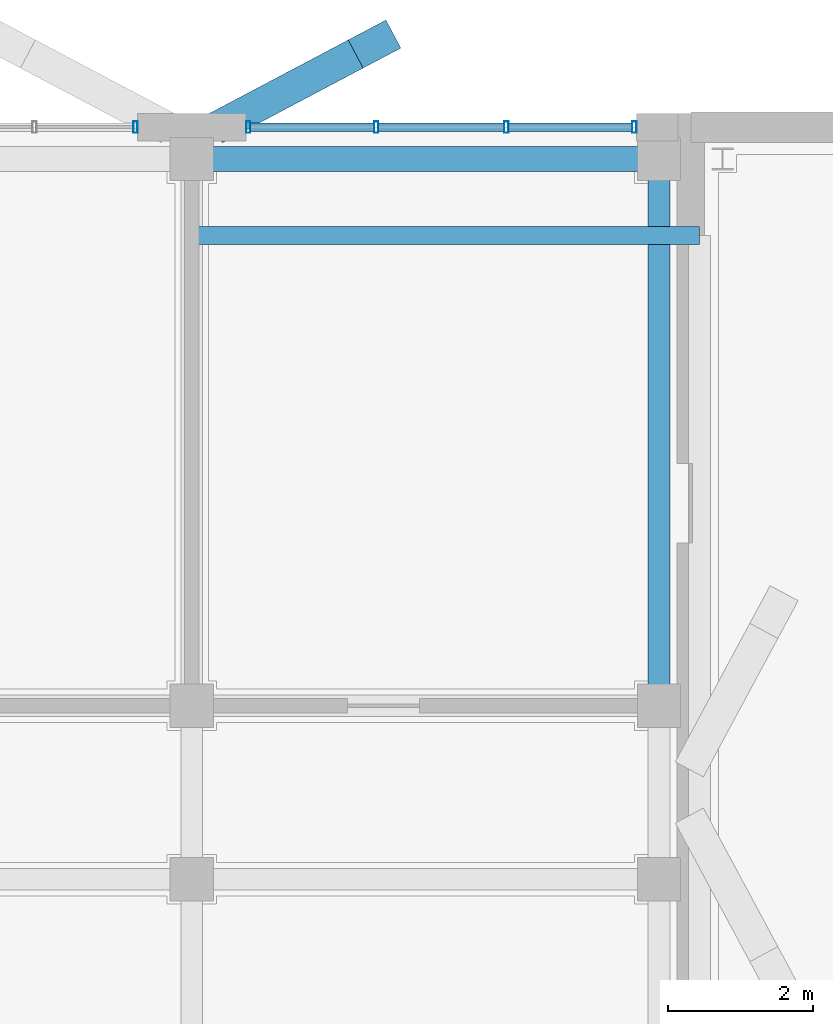
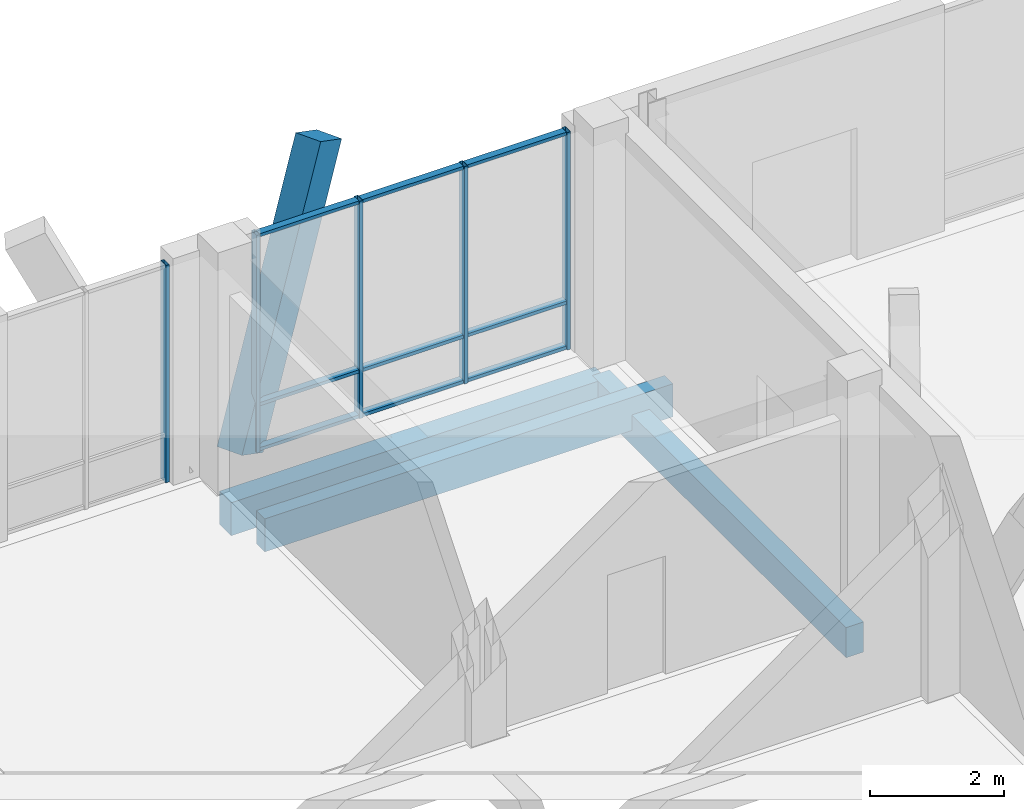
# One storey, part 119 of 233: 15 members, 3 beams, 2 elements without a shape of their own.
"""IFC4 building model written with IfcOpenShell, lengths in metres."""

from ifc_helpers import new_model, si_unit, direction, frame, origin, origin_2d, place, context, subcontext, project, spatial, rectangle, hollow_rectangle, extrude, material, material_profile, profile_set, type_object, element, aggregate, save


model = new_model("IFC4")

# Units and contexts
model_context = context("Model", 3, precision=1e-05, world=origin(), true_north=direction((0.0, 1.0)))
body_context = subcontext(model_context, "Body", "Model", "MODEL_VIEW")
ifc_project = project(units=[si_unit("LENGTHUNIT", "METRE"), si_unit("AREAUNIT", "SQUARE_METRE"), si_unit("VOLUMEUNIT", "CUBIC_METRE"), si_unit("PLANEANGLEUNIT", "RADIAN"), si_unit("MASSUNIT", "GRAM", prefix="KILO")], contexts=[model_context])

# Site, building, storey
site_placement = place(None, origin())
site = spatial("IfcSite", under=ifc_project, at=site_placement, CompositionType="ELEMENT")
building_placement = place(site_placement, origin())
building = spatial("IfcBuilding", under=site, at=building_placement, Name="Zavelmont Quarter", CompositionType="ELEMENT")
storey_placement = place(building_placement, origin())
storey = spatial("IfcBuildingStorey", under=building, at=storey_placement, Name="L00", CompositionType="ELEMENT", Elevation=0.0)

# Beams
ifc_material_1 = material(Name="Concrete C35/45", Category="concrete")
ifc_material_profile_1 = material_profile(ifc_material_1, rectangle(XDim=0.35009765625, YDim=0.60009765625, at=origin_2d()), Name="RC350X600")
ifc_profile_set_1 = profile_set([ifc_material_profile_1], Name="Concrete C35/45")
beam_type_1 = type_object("IfcBeamType", Name="BM01", PredefinedType="SPANDREL", material=ifc_profile_set_1)
beam_1_placement = place(storey_placement, frame((48.300048828125, 115.56005859375, -0.6201171875), z_axis=(1.0, 0.0, 0.0), x_axis=(0.0, 1.0, 0.0)))
element("IfcBeam", 1, at=beam_1_placement, inside=storey, type_object=beam_type_1, Name="L00 beam BM01 8/S to 9/S", PredefinedType="SPANDREL", context=body_context, shape_type="SweptSolid", body=[
    extrude(rectangle(XDim=0.35009765625, YDim=0.60009765625, at=origin_2d()), origin(), (0.0, 0.0, 1.0), 6.4599609375),
])
ifc_material_profile_2 = material_profile(ifc_material_1, rectangle(XDim=0.300048828125, YDim=0.550048828125, at=origin_2d()), Name="RC300X550")
ifc_profile_set_2 = profile_set([ifc_material_profile_2], Name="Concrete C35/45")
beam_type_2 = type_object("IfcBeamType", Name="BM02", PredefinedType="SPANDREL", material=ifc_profile_set_2)
beam_2_placement = place(storey_placement, frame((54.760009765625, 108.0, -0.594970703125), z_axis=(0.0, 1.0, 0.0), x_axis=(-1.0, 0.0, 0.0)))
element("IfcBeam", 2, at=beam_2_placement, inside=storey, type_object=beam_type_2, Name="L00 beam BM02 9/R to 9/S", PredefinedType="SPANDREL", context=body_context, shape_type="SweptSolid", body=[
    extrude(rectangle(XDim=0.300048828125, YDim=0.550048828125, at=origin_2d()), origin(), (0.0, 0.0, 1.0), 7.56005859375),
])
ifc_material_2 = material(Name="Concrete C40/50", Category="concrete")
ifc_material_profile_3 = material_profile(ifc_material_2, rectangle(XDim=0.25, YDim=0.60009765625, at=origin_2d()), Name="RC250X600")
ifc_profile_set_3 = profile_set([ifc_material_profile_3], Name="Concrete C40/50")
beam_type_3 = type_object("IfcBeamType", Name="BM18", PredefinedType="BEAM", material=ifc_profile_set_3)
beam_3_placement = place(storey_placement, frame((48.300048828125, 114.5, -0.300048828125), z_axis=(1.0, 0.0, 0.0), x_axis=(0.0, 1.0, 0.0)))
element("IfcBeam", 3, at=beam_3_placement, inside=storey, type_object=beam_type_3, Name="L00 beam BM18 8/S to 9/S", PredefinedType="BEAM", context=body_context, shape_type="SweptSolid", body=[
    extrude(rectangle(XDim=0.25, YDim=0.60009765625, at=origin_2d()), origin(), (0.0, 0.0, 1.0), 7.02001953125),
])

# Curtain wall, member
ifc_material_3 = material(Name="Thermally broken aluminium and double low-E safety glazing", Category="aluminium")
curtain_wall_type_1 = type_object("IfcCurtainWallType", Name="CW-285X395", PredefinedType="NOTDEFINED", material=ifc_material_3)
curtain_wall_1_placement = place(storey_placement, origin())
curtain_wall_1 = element("IfcCurtainWall", 4, at=curtain_wall_1_placement, inside=storey, type_object=curtain_wall_type_1, Name="L00 unitised curtain wall CW-285X395", PredefinedType="NOTDEFINED")
ifc_material_4 = material(Name="Powder-coated aluminium EN AW-6063-T6", Category="aluminium")
ifc_material_profile_4 = material_profile(ifc_material_4, hollow_rectangle(XDim=0.06005859375, YDim=0.159912109375, WallThickness=0.00390625, at=origin_2d()), Name="CWM60X160")
ifc_profile_set_4 = profile_set([ifc_material_profile_4], Name="Powder-coated aluminium EN AW-6063-T6")
member_type_1 = type_object("IfcMemberType", Name="CWM01", PredefinedType="MULLION", material=ifc_profile_set_4)
member_1_placement = place(storey_placement, frame((47.52001953125, 116.0, 0.0), z_axis=(0.0, 0.0, 1.0), x_axis=(1.0, 0.0, 0.0)))
member_1 = element("IfcMember", 5, at=member_1_placement, type_object=member_type_1, Name="CW-285X395 mullion 3", PredefinedType="MULLION", context=body_context, shape_type="SweptSolid", body=[
    extrude(hollow_rectangle(XDim=0.06005859375, YDim=0.159912109375, WallThickness=0.00390625, at=origin_2d()), origin(), (0.0, 0.0, 1.0), 3.949951171875),
])
aggregate(curtain_wall_1, [member_1])

# Curtain wall, members
curtain_wall_type_2 = type_object("IfcCurtainWallType", Name="CW-540X395", PredefinedType="NOTDEFINED", material=ifc_material_3)
curtain_wall_2_placement = place(storey_placement, origin())
curtain_wall_2 = element("IfcCurtainWall", 6, at=curtain_wall_2_placement, inside=storey, type_object=curtain_wall_type_2, Name="L00 unitised curtain wall CW-540X395", PredefinedType="NOTDEFINED")
member_2_placement = place(storey_placement, frame((49.080078125, 116.0, 0.0), z_axis=(0.0, 0.0, 1.0), x_axis=(1.0, 0.0, 0.0)))
member_2 = element("IfcMember", 7, at=member_2_placement, type_object=member_type_1, Name="CW-540X395 mullion 1", PredefinedType="MULLION", context=body_context, shape_type="SweptSolid", body=[
    extrude(hollow_rectangle(XDim=0.06005859375, YDim=0.159912109375, WallThickness=0.00390625, at=origin_2d()), origin(), (0.0, 0.0, 1.0), 3.949951171875),
])
member_3_placement = place(storey_placement, frame((50.85009765625, 116.0, 0.0), z_axis=(0.0, 0.0, 1.0), x_axis=(1.0, 0.0, 0.0)))
member_3 = element("IfcMember", 8, at=member_3_placement, type_object=member_type_1, Name="CW-540X395 mullion 2", PredefinedType="MULLION", context=body_context, shape_type="SweptSolid", body=[
    extrude(hollow_rectangle(XDim=0.06005859375, YDim=0.159912109375, WallThickness=0.00390625, at=origin_2d()), origin(), (0.0, 0.0, 1.0), 3.949951171875),
])
member_4_placement = place(storey_placement, frame((52.64990234375, 116.0, 0.0), z_axis=(0.0, 0.0, 1.0), x_axis=(1.0, 0.0, 0.0)))
member_4 = element("IfcMember", 9, at=member_4_placement, type_object=member_type_1, Name="CW-540X395 mullion 3", PredefinedType="MULLION", context=body_context, shape_type="SweptSolid", body=[
    extrude(hollow_rectangle(XDim=0.06005859375, YDim=0.159912109375, WallThickness=0.00390625, at=origin_2d()), origin(), (0.0, 0.0, 1.0), 3.949951171875),
])
member_5_placement = place(storey_placement, frame((54.419921875, 116.0, 0.0), z_axis=(0.0, 0.0, 1.0), x_axis=(1.0, 0.0, 0.0)))
member_5 = element("IfcMember", 10, at=member_5_placement, type_object=member_type_1, Name="CW-540X395 mullion 4", PredefinedType="MULLION", context=body_context, shape_type="SweptSolid", body=[
    extrude(hollow_rectangle(XDim=0.06005859375, YDim=0.159912109375, WallThickness=0.00390625, at=origin_2d()), origin(), (0.0, 0.0, 1.0), 3.949951171875),
])
ifc_material_profile_5 = material_profile(ifc_material_4, hollow_rectangle(XDim=0.1201171875, YDim=0.06005859375, WallThickness=0.00390625, at=origin_2d()), Name="CWT60X120")
ifc_profile_set_5 = profile_set([ifc_material_profile_5], Name="Powder-coated aluminium EN AW-6063-T6")
member_type_2 = type_object("IfcMemberType", Name="CWT01", PredefinedType="NOTDEFINED", material=ifc_profile_set_5)
member_6_placement = place(storey_placement, frame((49.110107421875, 116.0, 0.030029296875), z_axis=(1.0, 0.0, 0.0), x_axis=(0.0, 1.0, 0.0)))
member_6 = element("IfcMember", 11, at=member_6_placement, type_object=member_type_2, Name="CW-540X395 transom 1.1", ObjectType="TRANSOM", PredefinedType="USERDEFINED", context=body_context, shape_type="SweptSolid", body=[
    extrude(hollow_rectangle(XDim=0.1201171875, YDim=0.06005859375, WallThickness=0.00390625, at=origin_2d()), origin(), (0.0, 0.0, 1.0), 1.7099609375),
])
member_7_placement = place(storey_placement, frame((49.110107421875, 116.0, 0.85009765625), z_axis=(1.0, 0.0, 0.0), x_axis=(0.0, 1.0, 0.0)))
member_7 = element("IfcMember", 12, at=member_7_placement, type_object=member_type_2, Name="CW-540X395 transom 1.2", ObjectType="TRANSOM", PredefinedType="USERDEFINED", context=body_context, shape_type="SweptSolid", body=[
    extrude(hollow_rectangle(XDim=0.1201171875, YDim=0.06005859375, WallThickness=0.00390625, at=origin_2d()), origin(), (0.0, 0.0, 1.0), 1.7099609375),
])
member_8_placement = place(storey_placement, frame((49.110107421875, 116.0, 3.919921875), z_axis=(1.0, 0.0, 0.0), x_axis=(0.0, 1.0, 0.0)))
member_8 = element("IfcMember", 13, at=member_8_placement, type_object=member_type_2, Name="CW-540X395 transom 1.3", ObjectType="TRANSOM", PredefinedType="USERDEFINED", context=body_context, shape_type="SweptSolid", body=[
    extrude(hollow_rectangle(XDim=0.1201171875, YDim=0.06005859375, WallThickness=0.00390625, at=origin_2d()), origin(), (0.0, 0.0, 1.0), 1.7099609375),
])
member_9_placement = place(storey_placement, frame((50.8798828125, 116.0, 0.030029296875), z_axis=(1.0, 0.0, 0.0), x_axis=(0.0, 1.0, 0.0)))
member_9 = element("IfcMember", 14, at=member_9_placement, type_object=member_type_2, Name="CW-540X395 transom 2.1", ObjectType="TRANSOM", PredefinedType="USERDEFINED", context=body_context, shape_type="SweptSolid", body=[
    extrude(hollow_rectangle(XDim=0.1201171875, YDim=0.06005859375, WallThickness=0.00390625, at=origin_2d()), origin(), (0.0, 0.0, 1.0), 1.740234375),
])
member_10_placement = place(storey_placement, frame((50.8798828125, 116.0, 0.85009765625), z_axis=(1.0, 0.0, 0.0), x_axis=(0.0, 1.0, 0.0)))
member_10 = element("IfcMember", 15, at=member_10_placement, type_object=member_type_2, Name="CW-540X395 transom 2.2", ObjectType="TRANSOM", PredefinedType="USERDEFINED", context=body_context, shape_type="SweptSolid", body=[
    extrude(hollow_rectangle(XDim=0.1201171875, YDim=0.06005859375, WallThickness=0.00390625, at=origin_2d()), origin(), (0.0, 0.0, 1.0), 1.740234375),
])
member_11_placement = place(storey_placement, frame((50.8798828125, 116.0, 3.919921875), z_axis=(1.0, 0.0, 0.0), x_axis=(0.0, 1.0, 0.0)))
member_11 = element("IfcMember", 16, at=member_11_placement, type_object=member_type_2, Name="CW-540X395 transom 2.3", ObjectType="TRANSOM", PredefinedType="USERDEFINED", context=body_context, shape_type="SweptSolid", body=[
    extrude(hollow_rectangle(XDim=0.1201171875, YDim=0.06005859375, WallThickness=0.00390625, at=origin_2d()), origin(), (0.0, 0.0, 1.0), 1.740234375),
])
member_12_placement = place(storey_placement, frame((52.679931640625, 116.0, 0.030029296875), z_axis=(1.0, 0.0, 0.0), x_axis=(0.0, 1.0, 0.0)))
member_12 = element("IfcMember", 17, at=member_12_placement, type_object=member_type_2, Name="CW-540X395 transom 3.1", ObjectType="TRANSOM", PredefinedType="USERDEFINED", context=body_context, shape_type="SweptSolid", body=[
    extrude(hollow_rectangle(XDim=0.1201171875, YDim=0.06005859375, WallThickness=0.00390625, at=origin_2d()), origin(), (0.0, 0.0, 1.0), 1.7099609375),
])
member_13_placement = place(storey_placement, frame((52.679931640625, 116.0, 0.85009765625), z_axis=(1.0, 0.0, 0.0), x_axis=(0.0, 1.0, 0.0)))
member_13 = element("IfcMember", 18, at=member_13_placement, type_object=member_type_2, Name="CW-540X395 transom 3.2", ObjectType="TRANSOM", PredefinedType="USERDEFINED", context=body_context, shape_type="SweptSolid", body=[
    extrude(hollow_rectangle(XDim=0.1201171875, YDim=0.06005859375, WallThickness=0.00390625, at=origin_2d()), origin(), (0.0, 0.0, 1.0), 1.7099609375),
])
member_14_placement = place(storey_placement, frame((52.679931640625, 116.0, 3.919921875), z_axis=(1.0, 0.0, 0.0), x_axis=(0.0, 1.0, 0.0)))
member_14 = element("IfcMember", 19, at=member_14_placement, type_object=member_type_2, Name="CW-540X395 transom 3.3", ObjectType="TRANSOM", PredefinedType="USERDEFINED", context=body_context, shape_type="SweptSolid", body=[
    extrude(hollow_rectangle(XDim=0.1201171875, YDim=0.06005859375, WallThickness=0.00390625, at=origin_2d()), origin(), (0.0, 0.0, 1.0), 1.7099609375),
])
aggregate(curtain_wall_2, [member_2, member_3, member_4, member_5, member_6, member_7, member_8, member_9, member_10, member_11, member_12, member_13, member_14])

# Member
ifc_material_5 = material(Name="White architectural precast concrete C40/50", Category="concrete")
ifc_material_profile_6 = material_profile(ifc_material_5, rectangle(XDim=0.43994140625, YDim=0.659912109375, at=origin_2d()), Name="PCR320X480")
ifc_profile_set_6 = profile_set([ifc_material_profile_6], Name="White architectural precast concrete C40/50")
member_type_3 = type_object("IfcMemberType", Name="VR01M", PredefinedType="CHORD", material=ifc_profile_set_6)
member_15_placement = place(storey_placement, frame((48.8798828125, 116.1201171875, 0.0), z_axis=(0.395660789646, 0.209292351483, 0.894231094934), x_axis=(-0.467582094984, 0.883949650404, 0.0)))
element("IfcMember", 20, at=member_15_placement, inside=storey, type_object=member_type_3, Name="L00 member VR01M 8/S to 8/S", PredefinedType="CHORD", context=body_context, shape_type="SweptSolid", body=[
    extrude(rectangle(XDim=0.43994140625, YDim=0.659912109375, at=origin_2d()), origin(), (0.0, 0.0, 1.0), 4.92041015625),
])

save(model, "model.ifc")
